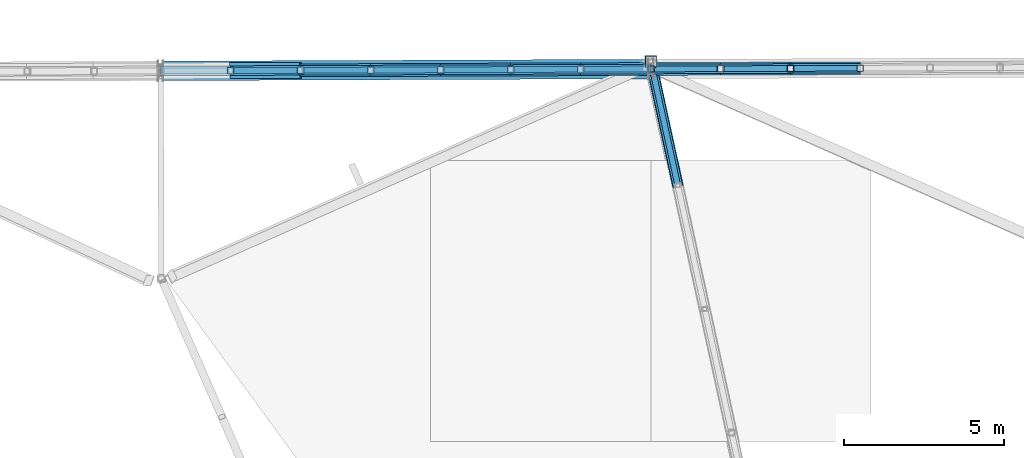
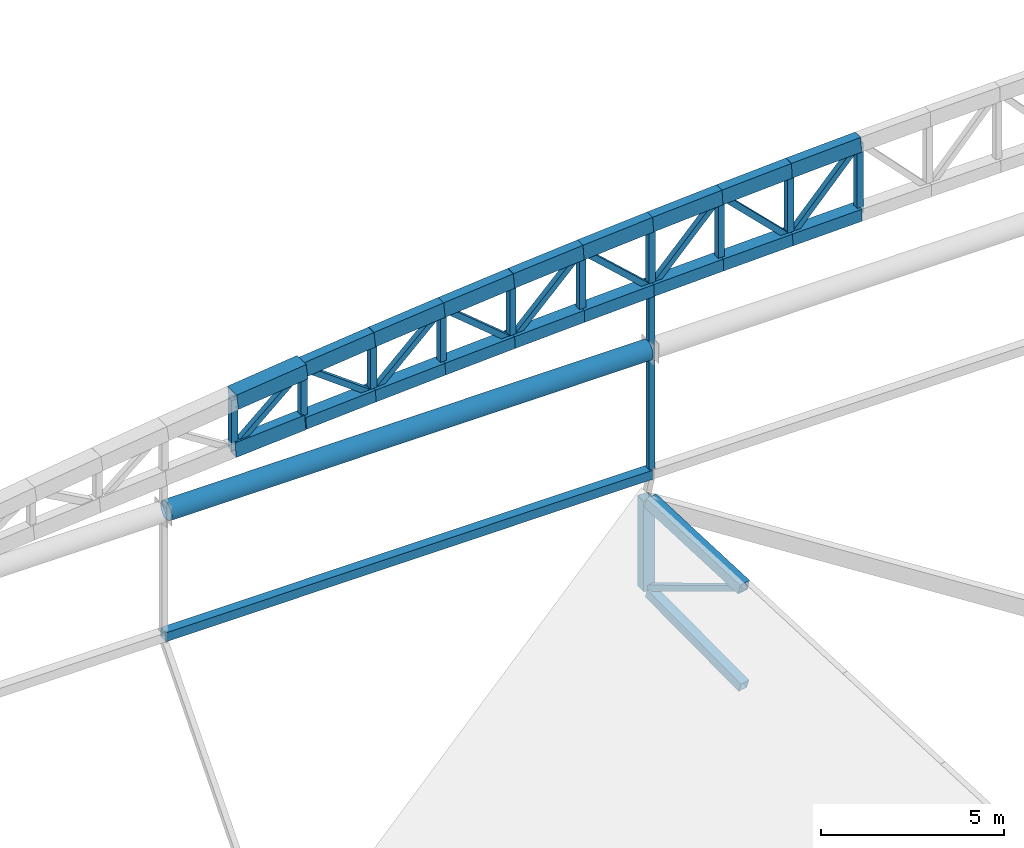
# One storey, part 84 of 188: 44 members.
"""IFC4 building model written with IfcOpenShell, lengths in metres."""

from ifc_helpers import new_model, si_unit, direction, frame, origin, origin_2d, place, context, subcontext, project, spatial, hollow_rectangle, hollow_circle, extrude, material, material_profile, profile_set, type_object, element, save


model = new_model("IFC4")

# Units and contexts
model_context = context("Model", 3, precision=1e-05, world=origin(), true_north=direction((0.0, 1.0)))
body_context = subcontext(model_context, "Body", "Model", "MODEL_VIEW")
ifc_project = project(units=[si_unit("LENGTHUNIT", "METRE"), si_unit("AREAUNIT", "SQUARE_METRE"), si_unit("VOLUMEUNIT", "CUBIC_METRE"), si_unit("PLANEANGLEUNIT", "RADIAN"), si_unit("MASSUNIT", "GRAM", prefix="KILO")], contexts=[model_context])

# Site, building, storey
site_placement = place(None, origin())
site = spatial("IfcSite", under=ifc_project, at=site_placement, CompositionType="ELEMENT")
building_placement = place(site_placement, origin())
building = spatial("IfcBuilding", under=site, at=building_placement, Name="Meseta Stadium", CompositionType="ELEMENT")
storey_placement = place(building_placement, frame((0.0, 0.0, 30.0)))
storey = spatial("IfcBuildingStorey", under=building, at=storey_placement, Name="ROOF", CompositionType="ELEMENT", Elevation=30.0)

# Members
ifc_material_1 = material(Name="Steel S355", Category="steel")
ifc_material_profile_1 = material_profile(ifc_material_1, hollow_circle(Radius=0.304931640625, WallThickness=0.02490234375, at=origin_2d()), Name="CHS 610x25")
ifc_profile_set_1 = profile_set([ifc_material_profile_1], Name="Steel S355")
member_type_1 = type_object("IfcMemberType", Name="CHS 610x25 arch tie", PredefinedType="STRUT", material=ifc_profile_set_1)
member_1_placement = place(storey_placement, frame((-23.089111328125, 105.16357421875, 15.550048828125), z_axis=(-0.999992611719, -0.003844022167, 0.0), x_axis=(0.003844022167, -0.999992611719, 0.0)))
element("IfcMember", 1, at=member_1_placement, inside=storey, type_object=member_type_1, Name="GABLE ARCH GA-N tie 05", PredefinedType="STRUT", context=body_context, shape_type="SweptSolid", body=[
    extrude(hollow_circle(Radius=0.304931640625, WallThickness=0.02490234375, at=origin_2d()), origin(), (0.0, 0.0, 1.0), 15.17919921875),
])
ifc_material_2 = material(Name="Steel S355", Category="steel")
ifc_material_profile_2 = material_profile(ifc_material_2, hollow_rectangle(XDim=0.300048828125, YDim=0.5, WallThickness=0.01611328125, at=origin_2d()), Name="RHS 500x300x16")
ifc_profile_set_2 = profile_set([ifc_material_profile_2], Name="Steel S355")
member_type_2 = type_object("IfcMemberType", Name="RHS 500x300x16 arch bottom chord", PredefinedType="CHORD", material=ifc_profile_set_2)
member_2_placement = place(storey_placement, frame((-33.969970703125, 105.121826171875, 17.0498046875), z_axis=(-0.997704328769, -0.003885573774, -0.067608983668), x_axis=(0.003894484764, -0.999992416465, 0.0)))
element("IfcMember", 2, at=member_2_placement, inside=storey, type_object=member_type_2, Name="GABLE ARCH GA-N bottom chord", PredefinedType="CHORD", context=body_context, shape_type="SweptSolid", body=[
    extrude(hollow_rectangle(XDim=0.300048828125, YDim=0.5, WallThickness=0.01611328125, at=origin_2d()), origin(), (0.0, 0.0, 1.0), 2.19921875),
])
ifc_material_3 = material(Name="Steel S355", Category="steel")
ifc_material_profile_3 = material_profile(ifc_material_3, hollow_rectangle(XDim=0.300048828125, YDim=0.5, WallThickness=0.01611328125, at=origin_2d()), Name="RHS 500x300x16")
ifc_profile_set_3 = profile_set([ifc_material_profile_3], Name="Steel S355")
member_type_3 = type_object("IfcMemberType", Name="RHS 500x300x16 arch top chord", PredefinedType="CHORD", material=ifc_profile_set_3)
member_3_placement = place(storey_placement, frame((-16.43896484375, 105.189208984375, 20.112060546875), z_axis=(-0.999026748655, -0.003792219432, -0.043945131067), x_axis=(0.003795886463, -0.999992795597, 0.0)))
element("IfcMember", 3, at=member_3_placement, inside=storey, type_object=member_type_3, Name="GABLE ARCH GA-N top chord", PredefinedType="CHORD", context=body_context, shape_type="SweptSolid", body=[
    extrude(hollow_rectangle(XDim=0.300048828125, YDim=0.5, WallThickness=0.01611328125, at=origin_2d()), origin(), (0.0, 0.0, 1.0), 2.18896484375),
])
member_4_placement = place(storey_placement, frame((-18.625732421875, 105.180908203125, 20.015869140625), z_axis=(-0.99859509472, -0.003902068585, -0.052845157407), x_axis=(0.003907528502, -0.999992365581, 0.0)))
element("IfcMember", 4, at=member_4_placement, inside=storey, type_object=member_type_3, Name="GABLE ARCH GA-N top chord", PredefinedType="CHORD", context=body_context, shape_type="SweptSolid", body=[
    extrude(hollow_rectangle(XDim=0.300048828125, YDim=0.5, WallThickness=0.01611328125, at=origin_2d()), origin(), (0.0, 0.0, 1.0), 2.18994140625),
])
member_5_placement = place(storey_placement, frame((-20.8125, 105.17236328125, 19.900146484375), z_axis=(-0.998091965005, -0.003789094106, -0.061628501189), x_axis=(0.003796310294, -0.999992793988, 0.0)))
element("IfcMember", 5, at=member_5_placement, inside=storey, type_object=member_type_3, Name="GABLE ARCH GA-N top chord", PredefinedType="CHORD", context=body_context, shape_type="SweptSolid", body=[
    extrude(hollow_rectangle(XDim=0.300048828125, YDim=0.5, WallThickness=0.01611328125, at=origin_2d()), origin(), (0.0, 0.0, 1.0), 2.190673828125),
])
member_6_placement = place(storey_placement, frame((-22.9990234375, 105.1640625, 19.76513671875), z_axis=(-0.99750608465, -0.003884369489, -0.07047356072), x_axis=(0.003894051473, -0.999992418153, 0.0)))
element("IfcMember", 6, at=member_6_placement, inside=storey, type_object=member_type_3, Name="GABLE ARCH GA-N top chord", PredefinedType="CHORD", context=body_context, shape_type="SweptSolid", body=[
    extrude(hollow_rectangle(XDim=0.300048828125, YDim=0.5, WallThickness=0.01611328125, at=origin_2d()), origin(), (0.0, 0.0, 1.0), 2.19970703125),
])
member_7_placement = place(storey_placement, frame((-25.193359375, 105.155517578125, 19.610107421875), z_axis=(-0.996869263687, -0.003771398127, -0.078977513714), x_axis=(0.003783215387, -0.999992843615, 0.0)))
element("IfcMember", 7, at=member_7_placement, inside=storey, type_object=member_type_3, Name="GABLE ARCH GA-N top chord", PredefinedType="CHORD", context=body_context, shape_type="SweptSolid", body=[
    extrude(hollow_rectangle(XDim=0.300048828125, YDim=0.5, WallThickness=0.01611328125, at=origin_2d()), origin(), (0.0, 0.0, 1.0), 2.200927734375),
])
member_8_placement = place(storey_placement, frame((-27.387451171875, 105.147216796875, 19.436279296875), z_axis=(-0.996151129024, -0.003879524815, -0.087566417261), x_axis=(0.003894484764, -0.999992416465, 0.0)))
element("IfcMember", 8, at=member_8_placement, inside=storey, type_object=member_type_3, Name="GABLE ARCH GA-N top chord", PredefinedType="CHORD", context=body_context, shape_type="SweptSolid", body=[
    extrude(hollow_rectangle(XDim=0.300048828125, YDim=0.5, WallThickness=0.01611328125, at=origin_2d()), origin(), (0.0, 0.0, 1.0), 2.20263671875),
])
member_9_placement = place(storey_placement, frame((-29.58154296875, 105.138671875, 19.243408203125), z_axis=(-0.995372708355, -0.003765317321, -0.096015591694), x_axis=(0.003782794475, -0.999992845207, 0.0)))
element("IfcMember", 9, at=member_9_placement, inside=storey, type_object=member_type_3, Name="GABLE ARCH GA-N top chord", PredefinedType="CHORD", context=body_context, shape_type="SweptSolid", body=[
    extrude(hollow_rectangle(XDim=0.300048828125, YDim=0.5, WallThickness=0.01611328125, at=origin_2d()), origin(), (0.0, 0.0, 1.0), 2.20458984375),
])
member_10_placement = place(storey_placement, frame((-31.77587890625, 105.13037109375, 19.03173828125), z_axis=(-0.994543981687, -0.003873265757, -0.104246181234), x_axis=(0.003894484764, -0.999992416465, 0.0)))
element("IfcMember", 10, at=member_10_placement, inside=storey, type_object=member_type_3, Name="GABLE ARCH GA-N top chord", PredefinedType="CHORD", context=body_context, shape_type="SweptSolid", body=[
    extrude(hollow_rectangle(XDim=0.300048828125, YDim=0.5, WallThickness=0.01611328125, at=origin_2d()), origin(), (0.0, 0.0, 1.0), 2.2060546875),
])
ifc_material_4 = material(Name="Steel S355", Category="steel")
ifc_material_profile_4 = material_profile(ifc_material_4, hollow_rectangle(XDim=0.179931640625, YDim=0.179931640625, WallThickness=0.00634765625, at=origin_2d()), Name="SHS 180x180x6.3")
ifc_profile_set_4 = profile_set([ifc_material_profile_4], Name="Steel S355")
member_type_4 = type_object("IfcMemberType", Name="SHS 180x180x6.3 arch diagonal", PredefinedType="BRACE", material=ifc_profile_set_4)
member_11_placement = place(storey_placement, frame((-16.43896484375, 105.189208984375, 20.112060546875), z_axis=(-0.678595599969, -0.00257589041, -0.734507574155), x_axis=(0.003795886463, -0.999992795597, 0.0)))
element("IfcMember", 11, at=member_11_placement, inside=storey, type_object=member_type_4, Name="GABLE ARCH GA-N diagonal", PredefinedType="BRACE", context=body_context, shape_type="SweptSolid", body=[
    extrude(hollow_rectangle(XDim=0.179931640625, YDim=0.179931640625, WallThickness=0.00634765625, at=origin_2d()), origin(), (0.0, 0.0, 1.0), 3.222412109375),
])
member_12_placement = place(storey_placement, frame((-18.625732421875, 105.180908203125, 17.7451171875), z_axis=(-0.71225390226, -0.002783173672, 0.70191640005), x_axis=(0.003907528502, -0.999992365581, 0.0)))
element("IfcMember", 12, at=member_12_placement, inside=storey, type_object=member_type_4, Name="GABLE ARCH GA-N diagonal", PredefinedType="BRACE", context=body_context, shape_type="SweptSolid", body=[
    extrude(hollow_rectangle(XDim=0.179931640625, YDim=0.179931640625, WallThickness=0.00634765625, at=origin_2d()), origin(), (0.0, 0.0, 1.0), 3.0703125),
])
member_13_placement = place(storey_placement, frame((-20.8125, 105.17236328125, 19.900146484375), z_axis=(-0.689875894273, -0.002619001832, -0.723922918086), x_axis=(0.003796310294, -0.999992793988, 0.0)))
element("IfcMember", 13, at=member_13_placement, inside=storey, type_object=member_type_4, Name="GABLE ARCH GA-N diagonal", PredefinedType="BRACE", context=body_context, shape_type="SweptSolid", body=[
    extrude(hollow_rectangle(XDim=0.179931640625, YDim=0.179931640625, WallThickness=0.00634765625, at=origin_2d()), origin(), (0.0, 0.0, 1.0), 3.16943359375),
])
member_14_placement = place(storey_placement, frame((-22.9990234375, 105.1640625, 17.605712890625), z_axis=(-0.738336592355, -0.002875142494, 0.674426282069), x_axis=(0.003894051473, -0.999992418153, 0.0)))
element("IfcMember", 14, at=member_14_placement, inside=storey, type_object=member_type_4, Name="GABLE ARCH GA-N diagonal", PredefinedType="BRACE", context=body_context, shape_type="SweptSolid", body=[
    extrude(hollow_rectangle(XDim=0.179931640625, YDim=0.179931640625, WallThickness=0.00634765625, at=origin_2d()), origin(), (0.0, 0.0, 1.0), 2.971923828125),
])
member_15_placement = place(storey_placement, frame((-25.193359375, 105.155517578125, 19.610107421875), z_axis=(-0.707694598724, -0.002677380256, -0.706513401552), x_axis=(0.003783215387, -0.999992843615, 0.0)))
element("IfcMember", 15, at=member_15_placement, inside=storey, type_object=member_type_4, Name="GABLE ARCH GA-N diagonal", PredefinedType="BRACE", context=body_context, shape_type="SweptSolid", body=[
    extrude(hollow_rectangle(XDim=0.179931640625, YDim=0.179931640625, WallThickness=0.00634765625, at=origin_2d()), origin(), (0.0, 0.0, 1.0), 3.100341796875),
])
member_16_placement = place(storey_placement, frame((-27.387451171875, 105.147216796875, 17.419677734375), z_axis=(-0.769023833393, -0.002994974315, 0.639213089512), x_axis=(0.003894484764, -0.999992416465, 0.0)))
element("IfcMember", 16, at=member_16_placement, inside=storey, type_object=member_type_4, Name="GABLE ARCH GA-N diagonal", PredefinedType="BRACE", context=body_context, shape_type="SweptSolid", body=[
    extrude(hollow_rectangle(XDim=0.179931640625, YDim=0.179931640625, WallThickness=0.00634765625, at=origin_2d()), origin(), (0.0, 0.0, 1.0), 2.85302734375),
])
member_17_placement = place(storey_placement, frame((-29.58154296875, 105.138671875, 19.243408203125), z_axis=(-0.729423060833, -0.002759277266, -0.684057296368), x_axis=(0.003782794475, -0.999992845207, 0.0)))
element("IfcMember", 17, at=member_17_placement, inside=storey, type_object=member_type_4, Name="GABLE ARCH GA-N diagonal", PredefinedType="BRACE", context=body_context, shape_type="SweptSolid", body=[
    extrude(hollow_rectangle(XDim=0.179931640625, YDim=0.179931640625, WallThickness=0.00634765625, at=origin_2d()), origin(), (0.0, 0.0, 1.0), 3.00830078125),
])
member_18_placement = place(storey_placement, frame((-31.77587890625, 105.13037109375, 17.185546875), z_axis=(-0.805137439336, -0.00313561927, 0.593079987583), x_axis=(0.003894484764, -0.999992416465, 0.0)))
element("IfcMember", 18, at=member_18_placement, inside=storey, type_object=member_type_4, Name="GABLE ARCH GA-N diagonal", PredefinedType="BRACE", context=body_context, shape_type="SweptSolid", body=[
    extrude(hollow_rectangle(XDim=0.179931640625, YDim=0.179931640625, WallThickness=0.00634765625, at=origin_2d()), origin(), (0.0, 0.0, 1.0), 2.72509765625),
])
member_19_placement = place(storey_placement, frame((-33.969970703125, 105.121826171875, 18.8017578125), z_axis=(-0.755841187477, -0.002943634312, -0.65474837482), x_axis=(0.003894484764, -0.999992416465, 0.0)))
element("IfcMember", 19, at=member_19_placement, inside=storey, type_object=member_type_4, Name="GABLE ARCH GA-N diagonal", PredefinedType="BRACE", context=body_context, shape_type="SweptSolid", body=[
    extrude(hollow_rectangle(XDim=0.179931640625, YDim=0.179931640625, WallThickness=0.00634765625, at=origin_2d()), origin(), (0.0, 0.0, 1.0), 2.90283203125),
])
ifc_material_5 = material(Name="Steel S355", Category="steel")
ifc_material_profile_5 = material_profile(ifc_material_5, hollow_rectangle(XDim=0.179931640625, YDim=0.179931640625, WallThickness=0.00634765625, at=origin_2d()), Name="SHS 180x180x6.3")
ifc_profile_set_5 = profile_set([ifc_material_profile_5], Name="Steel S355")
member_type_5 = type_object("IfcMemberType", Name="SHS 180x180x6.3 diagonal", PredefinedType="BRACE", material=ifc_profile_set_5)
member_20_placement = place(storey_placement, frame((-22.156982421875, 101.52587890625, 9.523193359375), z_axis=(-0.189041751441, 0.868727052379, -0.457795286866), x_axis=(-0.977132437588, -0.212631604928, 0.0)))
element("IfcMember", 20, at=member_20_placement, inside=storey, type_object=member_type_5, Name="ROOF TRUSS RT-20 diagonal", PredefinedType="BRACE", context=body_context, shape_type="SweptSolid", body=[
    extrude(hollow_rectangle(XDim=0.179931640625, YDim=0.179931640625, WallThickness=0.00634765625, at=origin_2d()), origin(), (0.0, 0.0, 1.0), 4.45947265625),
])
ifc_material_6 = material(Name="Steel S355", Category="steel")
ifc_material_profile_6 = material_profile(ifc_material_6, hollow_rectangle(XDim=0.179931640625, YDim=0.179931640625, WallThickness=0.00634765625, at=origin_2d()), Name="SHS 180x180x6.3")
ifc_profile_set_6 = profile_set([ifc_material_profile_6], Name="Steel S355")
member_type_6 = type_object("IfcMemberType", Name="SHS 180x180x6.3 hanger", PredefinedType="STRUT", material=ifc_profile_set_6)
member_21_placement = place(storey_placement, frame((-22.9990234375, 105.1640625, 17.605712890625), z_axis=(0.0, 0.0, -1.0), x_axis=(1.0, 0.0, 0.0)))
element("IfcMember", 21, at=member_21_placement, inside=storey, type_object=member_type_6, Name="GABLE ARCH GA-N hanger RT-20", PredefinedType="STRUT", context=body_context, shape_type="SweptSolid", body=[
    extrude(hollow_rectangle(XDim=0.179931640625, YDim=0.179931640625, WallThickness=0.00634765625, at=origin_2d()), origin(), (0.0, 0.0, 1.0), 6.005615234375),
])
ifc_material_7 = material(Name="Steel S355", Category="steel")
ifc_material_profile_7 = material_profile(ifc_material_7, hollow_rectangle(XDim=0.199951171875, YDim=0.199951171875, WallThickness=0.008056640625, at=origin_2d()), Name="SHS 200x200x8")
ifc_profile_set_7 = profile_set([ifc_material_profile_7], Name="Steel S355")
member_type_7 = type_object("IfcMemberType", Name="SHS 200x200x8 arch vertical", PredefinedType="POST", material=ifc_profile_set_7)
member_22_placement = place(storey_placement, frame((-16.43896484375, 105.189208984375, 17.7978515625), z_axis=(0.0, 0.0, 1.0), x_axis=(1.0, 0.0, 0.0)))
element("IfcMember", 22, at=member_22_placement, inside=storey, type_object=member_type_7, Name="GABLE ARCH GA-N vertical", PredefinedType="POST", context=body_context, shape_type="SweptSolid", body=[
    extrude(hollow_rectangle(XDim=0.199951171875, YDim=0.199951171875, WallThickness=0.008056640625, at=origin_2d()), origin(), (0.0, 0.0, 1.0), 2.314208984375),
])
member_23_placement = place(storey_placement, frame((-18.625732421875, 105.180908203125, 17.7451171875), z_axis=(0.0, 0.0, 1.0), x_axis=(1.0, 0.0, 0.0)))
element("IfcMember", 23, at=member_23_placement, inside=storey, type_object=member_type_7, Name="GABLE ARCH GA-N vertical", PredefinedType="POST", context=body_context, shape_type="SweptSolid", body=[
    extrude(hollow_rectangle(XDim=0.199951171875, YDim=0.199951171875, WallThickness=0.008056640625, at=origin_2d()), origin(), (0.0, 0.0, 1.0), 2.270751953125),
])
member_24_placement = place(storey_placement, frame((-20.8125, 105.17236328125, 17.68115234375), z_axis=(0.0, 0.0, 1.0), x_axis=(1.0, 0.0, 0.0)))
element("IfcMember", 24, at=member_24_placement, inside=storey, type_object=member_type_7, Name="GABLE ARCH GA-N vertical", PredefinedType="POST", context=body_context, shape_type="SweptSolid", body=[
    extrude(hollow_rectangle(XDim=0.199951171875, YDim=0.199951171875, WallThickness=0.008056640625, at=origin_2d()), origin(), (0.0, 0.0, 1.0), 2.218994140625),
])
member_25_placement = place(storey_placement, frame((-22.9990234375, 105.1640625, 17.605712890625), z_axis=(0.0, 0.0, 1.0), x_axis=(1.0, 0.0, 0.0)))
element("IfcMember", 25, at=member_25_placement, inside=storey, type_object=member_type_7, Name="GABLE ARCH GA-N vertical", PredefinedType="POST", context=body_context, shape_type="SweptSolid", body=[
    extrude(hollow_rectangle(XDim=0.199951171875, YDim=0.199951171875, WallThickness=0.008056640625, at=origin_2d()), origin(), (0.0, 0.0, 1.0), 2.159423828125),
])
member_26_placement = place(storey_placement, frame((-25.193359375, 105.155517578125, 17.518798828125), z_axis=(0.0, 0.0, 1.0), x_axis=(1.0, 0.0, 0.0)))
element("IfcMember", 26, at=member_26_placement, inside=storey, type_object=member_type_7, Name="GABLE ARCH GA-N vertical", PredefinedType="POST", context=body_context, shape_type="SweptSolid", body=[
    extrude(hollow_rectangle(XDim=0.199951171875, YDim=0.199951171875, WallThickness=0.008056640625, at=origin_2d()), origin(), (0.0, 0.0, 1.0), 2.09130859375),
])
member_27_placement = place(storey_placement, frame((-27.387451171875, 105.147216796875, 17.419677734375), z_axis=(0.0, 0.0, 1.0), x_axis=(1.0, 0.0, 0.0)))
element("IfcMember", 27, at=member_27_placement, inside=storey, type_object=member_type_7, Name="GABLE ARCH GA-N vertical", PredefinedType="POST", context=body_context, shape_type="SweptSolid", body=[
    extrude(hollow_rectangle(XDim=0.199951171875, YDim=0.199951171875, WallThickness=0.008056640625, at=origin_2d()), origin(), (0.0, 0.0, 1.0), 2.0166015625),
])
member_28_placement = place(storey_placement, frame((-29.58154296875, 105.138671875, 17.308837890625), z_axis=(0.0, 0.0, 1.0), x_axis=(1.0, 0.0, 0.0)))
element("IfcMember", 28, at=member_28_placement, inside=storey, type_object=member_type_7, Name="GABLE ARCH GA-N vertical", PredefinedType="POST", context=body_context, shape_type="SweptSolid", body=[
    extrude(hollow_rectangle(XDim=0.199951171875, YDim=0.199951171875, WallThickness=0.008056640625, at=origin_2d()), origin(), (0.0, 0.0, 1.0), 1.9345703125),
])
member_29_placement = place(storey_placement, frame((-31.77587890625, 105.13037109375, 17.185546875), z_axis=(0.0, 0.0, 1.0), x_axis=(1.0, 0.0, 0.0)))
element("IfcMember", 29, at=member_29_placement, inside=storey, type_object=member_type_7, Name="GABLE ARCH GA-N vertical", PredefinedType="POST", context=body_context, shape_type="SweptSolid", body=[
    extrude(hollow_rectangle(XDim=0.199951171875, YDim=0.199951171875, WallThickness=0.008056640625, at=origin_2d()), origin(), (0.0, 0.0, 1.0), 1.84619140625),
])
member_30_placement = place(storey_placement, frame((-33.969970703125, 105.121826171875, 17.0498046875), z_axis=(0.0, 0.0, 1.0), x_axis=(1.0, 0.0, 0.0)))
element("IfcMember", 30, at=member_30_placement, inside=storey, type_object=member_type_7, Name="GABLE ARCH GA-N vertical", PredefinedType="POST", context=body_context, shape_type="SweptSolid", body=[
    extrude(hollow_rectangle(XDim=0.199951171875, YDim=0.199951171875, WallThickness=0.008056640625, at=origin_2d()), origin(), (0.0, 0.0, 1.0), 1.751953125),
])
member_31_placement = place(storey_placement, frame((-36.1640625, 105.11328125, 16.901123046875), z_axis=(0.0, 0.0, 1.0), x_axis=(1.0, 0.0, 0.0)))
element("IfcMember", 31, at=member_31_placement, inside=storey, type_object=member_type_7, Name="GABLE ARCH GA-N vertical", PredefinedType="POST", context=body_context, shape_type="SweptSolid", body=[
    extrude(hollow_rectangle(XDim=0.199951171875, YDim=0.199951171875, WallThickness=0.008056640625, at=origin_2d()), origin(), (0.0, 0.0, 1.0), 1.652587890625),
])
ifc_material_8 = material(Name="Steel S355", Category="steel")
ifc_material_profile_8 = material_profile(ifc_material_8, hollow_rectangle(XDim=0.300048828125, YDim=0.300048828125, WallThickness=0.010009765625, at=origin_2d()), Name="SHS 300x300x10")
ifc_profile_set_8 = profile_set([ifc_material_profile_8], Name="Steel S355")
member_type_8 = type_object("IfcMemberType", Name="SHS 300x300x10 arch sill", PredefinedType="STRUT", material=ifc_profile_set_8)
member_32_placement = place(storey_placement, frame((-22.9990234375, 105.1640625, 11.449951171875), z_axis=(-0.999992601751, -0.003846614471, 0.0), x_axis=(0.003846614471, -0.999992601751, 0.0)))
element("IfcMember", 32, at=member_32_placement, inside=storey, type_object=member_type_8, Name="GABLE ARCH GA-N sill beam 05", PredefinedType="STRUT", context=body_context, shape_type="SweptSolid", body=[
    extrude(hollow_rectangle(XDim=0.300048828125, YDim=0.300048828125, WallThickness=0.010009765625, at=origin_2d()), origin(), (0.0, 0.0, 1.0), 15.359375),
])
ifc_material_9 = material(Name="Steel S355", Category="steel")
ifc_material_profile_9 = material_profile(ifc_material_9, hollow_rectangle(XDim=0.300048828125, YDim=0.300048828125, WallThickness=0.010009765625, at=origin_2d()), Name="SHS 300x300x10")
ifc_profile_set_9 = profile_set([ifc_material_profile_9], Name="Steel S355")
member_type_9 = type_object("IfcMemberType", Name="SHS 300x300x10 bottom chord", PredefinedType="CHORD", material=ifc_profile_set_9)
member_33_placement = place(storey_placement, frame((-22.156982421875, 101.52587890625, 6.246826171875), z_axis=(-0.202975026105, 0.932936315937, 0.297373450705), x_axis=(-0.977140958475, -0.212592444058, 0.0)))
element("IfcMember", 33, at=member_33_placement, inside=storey, type_object=member_type_9, Name="ROOF TRUSS RT-20 bottom chord", PredefinedType="CHORD", context=body_context, shape_type="SweptSolid", body=[
    extrude(hollow_rectangle(XDim=0.300048828125, YDim=0.300048828125, WallThickness=0.010009765625, at=origin_2d()), origin(), (0.0, 0.0, 1.0), 3.977783203125),
])
ifc_material_10 = material(Name="Steel S355", Category="steel")
ifc_material_profile_10 = material_profile(ifc_material_10, hollow_rectangle(XDim=0.35009765625, YDim=0.35009765625, WallThickness=0.010009765625, at=origin_2d()), Name="SHS 350x350x10")
ifc_profile_set_10 = profile_set([ifc_material_profile_10], Name="Steel S355")
member_type_10 = type_object("IfcMemberType", Name="SHS 350x350x10 rim post", PredefinedType="POST", material=ifc_profile_set_10)
member_34_placement = place(storey_placement, frame((-23.0, 105.39990234375, 7.481689453125), z_axis=(0.0, 0.0, 1.0), x_axis=(1.0, 0.0, 0.0)))
element("IfcMember", 34, at=member_34_placement, inside=storey, type_object=member_type_10, Name="ROOF TRUSS RT-20 post", PredefinedType="POST", context=body_context, shape_type="SweptSolid", body=[
    extrude(hollow_rectangle(XDim=0.35009765625, YDim=0.35009765625, WallThickness=0.010009765625, at=origin_2d()), origin(), (0.0, 0.0, 1.0), 3.0),
])
ifc_material_11 = material(Name="Steel S355", Category="steel")
ifc_material_profile_11 = material_profile(ifc_material_11, hollow_rectangle(XDim=0.35009765625, YDim=0.35009765625, WallThickness=0.010009765625, at=origin_2d()), Name="SHS 350x350x10")
ifc_profile_set_11 = profile_set([ifc_material_profile_11], Name="Steel S355")
member_type_11 = type_object("IfcMemberType", Name="SHS 350x350x10 top chord", PredefinedType="CHORD", material=ifc_profile_set_11)
member_35_placement = place(storey_placement, frame((-22.156982421875, 101.52587890625, 9.523193359375), z_axis=(-0.206678216489, 0.949781770661, 0.234944042163), x_axis=(-0.977132794759, -0.212629963568, 0.0)))
element("IfcMember", 35, at=member_35_placement, inside=storey, type_object=member_type_11, Name="ROOF TRUSS RT-20 top chord", PredefinedType="CHORD", context=body_context, shape_type="SweptSolid", body=[
    extrude(hollow_rectangle(XDim=0.35009765625, YDim=0.35009765625, WallThickness=0.010009765625, at=origin_2d()), origin(), (0.0, 0.0, 1.0), 3.904052734375),
])
ifc_material_12 = material(Name="Steel S355", Category="steel")
ifc_material_profile_12 = material_profile(ifc_material_12, hollow_rectangle(XDim=0.39990234375, YDim=0.39990234375, WallThickness=0.01416015625, at=origin_2d()), Name="SHS 400x400x14.2")
ifc_profile_set_12 = profile_set([ifc_material_profile_12], Name="Steel S355")
member_type_12 = type_object("IfcMemberType", Name="SHS 400x400x14.2 arch bottom chord", PredefinedType="CHORD", material=ifc_profile_set_12)
member_36_placement = place(storey_placement, frame((-16.43896484375, 105.189208984375, 17.7978515625), z_axis=(-0.999702156789, -0.003794783223, -0.024108034595), x_axis=(0.003795886463, -0.999992795597, 0.0)))
element("IfcMember", 36, at=member_36_placement, inside=storey, type_object=member_type_12, Name="GABLE ARCH GA-N bottom chord", PredefinedType="CHORD", context=body_context, shape_type="SweptSolid", body=[
    extrude(hollow_rectangle(XDim=0.39990234375, YDim=0.39990234375, WallThickness=0.01416015625, at=origin_2d()), origin(), (0.0, 0.0, 1.0), 2.1875),
])
for number, where, z_axis, x_axis, name in (
    (37, (-18.625732421875, 105.180908203125, 17.7451171875), (-0.999564843142, -0.003905857933, -0.02923813653), (0.003907528502, -0.999992365581, 0.0), "GABLE ARCH GA-N bottom chord"),
    (38, (-20.8125, 105.17236328125, 17.68115234375), (-0.999398143353, -0.0037940528, -0.034481244562), (0.003796310294, -0.999992793988, 0.0), "GABLE ARCH GA-N bottom chord"),
):
    element("IfcMember", number, at=place(storey_placement, frame(where, z_axis=z_axis, x_axis=x_axis)), inside=storey, type_object=member_type_12, Name=name, PredefinedType="CHORD", context=body_context, shape_type="SweptSolid", body=[
        extrude(hollow_rectangle(XDim=0.39990234375, YDim=0.39990234375, WallThickness=0.01416015625, at=origin_2d()), origin(), (0.0, 0.0, 1.0), 2.187744140625),
    ])
member_37_placement = place(storey_placement, frame((-22.9990234375, 105.1640625, 17.605712890625), z_axis=(-0.99920894635, -0.00389100057, -0.039577034368), x_axis=(0.003894051473, -0.999992418153, 0.0)))
element("IfcMember", 39, at=member_37_placement, inside=storey, type_object=member_type_12, Name="GABLE ARCH GA-N bottom chord", PredefinedType="CHORD", context=body_context, shape_type="SweptSolid", body=[
    extrude(hollow_rectangle(XDim=0.39990234375, YDim=0.39990234375, WallThickness=0.01416015625, at=origin_2d()), origin(), (0.0, 0.0, 1.0), 2.196044921875),
])
member_38_placement = place(storey_placement, frame((-25.193359375, 105.155517578125, 17.518798828125), z_axis=(-0.998973972783, -0.003779360752, -0.045130013681), x_axis=(0.003783215387, -0.999992843615, 0.0)))
element("IfcMember", 40, at=member_38_placement, inside=storey, type_object=member_type_12, Name="GABLE ARCH GA-N bottom chord", PredefinedType="CHORD", context=body_context, shape_type="SweptSolid", body=[
    extrude(hollow_rectangle(XDim=0.39990234375, YDim=0.39990234375, WallThickness=0.01416015625, at=origin_2d()), origin(), (0.0, 0.0, 1.0), 2.1962890625),
])
member_39_placement = place(storey_placement, frame((-27.387451171875, 105.147216796875, 17.419677734375), z_axis=(-0.998718877941, -0.00388952495, -0.050452695069), x_axis=(0.003894484764, -0.999992416465, 0.0)))
element("IfcMember", 41, at=member_39_placement, inside=storey, type_object=member_type_12, Name="GABLE ARCH GA-N bottom chord", PredefinedType="CHORD", context=body_context, shape_type="SweptSolid", body=[
    extrude(hollow_rectangle(XDim=0.39990234375, YDim=0.39990234375, WallThickness=0.01416015625, at=origin_2d()), origin(), (0.0, 0.0, 1.0), 2.197021484375),
])
member_40_placement = place(storey_placement, frame((-29.58154296875, 105.138671875, 17.308837890625), z_axis=(-0.998418171586, -0.003776837765, -0.05609714916), x_axis=(0.003782794475, -0.999992845207, 0.0)))
element("IfcMember", 42, at=member_40_placement, inside=storey, type_object=member_type_12, Name="GABLE ARCH GA-N bottom chord", PredefinedType="CHORD", context=body_context, shape_type="SweptSolid", body=[
    extrude(hollow_rectangle(XDim=0.39990234375, YDim=0.39990234375, WallThickness=0.01416015625, at=origin_2d()), origin(), (0.0, 0.0, 1.0), 2.19775390625),
])
member_41_placement = place(storey_placement, frame((-31.77587890625, 105.13037109375, 17.185546875), z_axis=(-0.998084164521, -0.00388705305, -0.061748614162), x_axis=(0.003894484764, -0.999992416465, 0.0)))
element("IfcMember", 43, at=member_41_placement, inside=storey, type_object=member_type_12, Name="GABLE ARCH GA-N bottom chord", PredefinedType="CHORD", context=body_context, shape_type="SweptSolid", body=[
    extrude(hollow_rectangle(XDim=0.39990234375, YDim=0.39990234375, WallThickness=0.01416015625, at=origin_2d()), origin(), (0.0, 0.0, 1.0), 2.1982421875),
])
ifc_material_13 = material(Name="Steel S355", Category="steel")
ifc_material_profile_13 = material_profile(ifc_material_13, hollow_rectangle(XDim=0.5, YDim=0.5, WallThickness=0.01611328125, at=origin_2d()), Name="SHS 500x500x16")
ifc_profile_set_13 = profile_set([ifc_material_profile_13], Name="Steel S355")
member_type_13 = type_object("IfcMemberType", Name="SHS 500x500x16 arch top chord", PredefinedType="CHORD", material=ifc_profile_set_13)
member_42_placement = place(storey_placement, frame((-33.969970703125, 105.121826171875, 18.8017578125), z_axis=(-0.993662771713, -0.003869833872, -0.112335748977), x_axis=(0.003894484764, -0.999992416465, 0.0)))
element("IfcMember", 44, at=member_42_placement, inside=storey, type_object=member_type_13, Name="GABLE ARCH GA-N top chord", PredefinedType="CHORD", context=body_context, shape_type="SweptSolid", body=[
    extrude(hollow_rectangle(XDim=0.5, YDim=0.5, WallThickness=0.01611328125, at=origin_2d()), origin(), (0.0, 0.0, 1.0), 2.2080078125),
])

save(model, "model.ifc")
